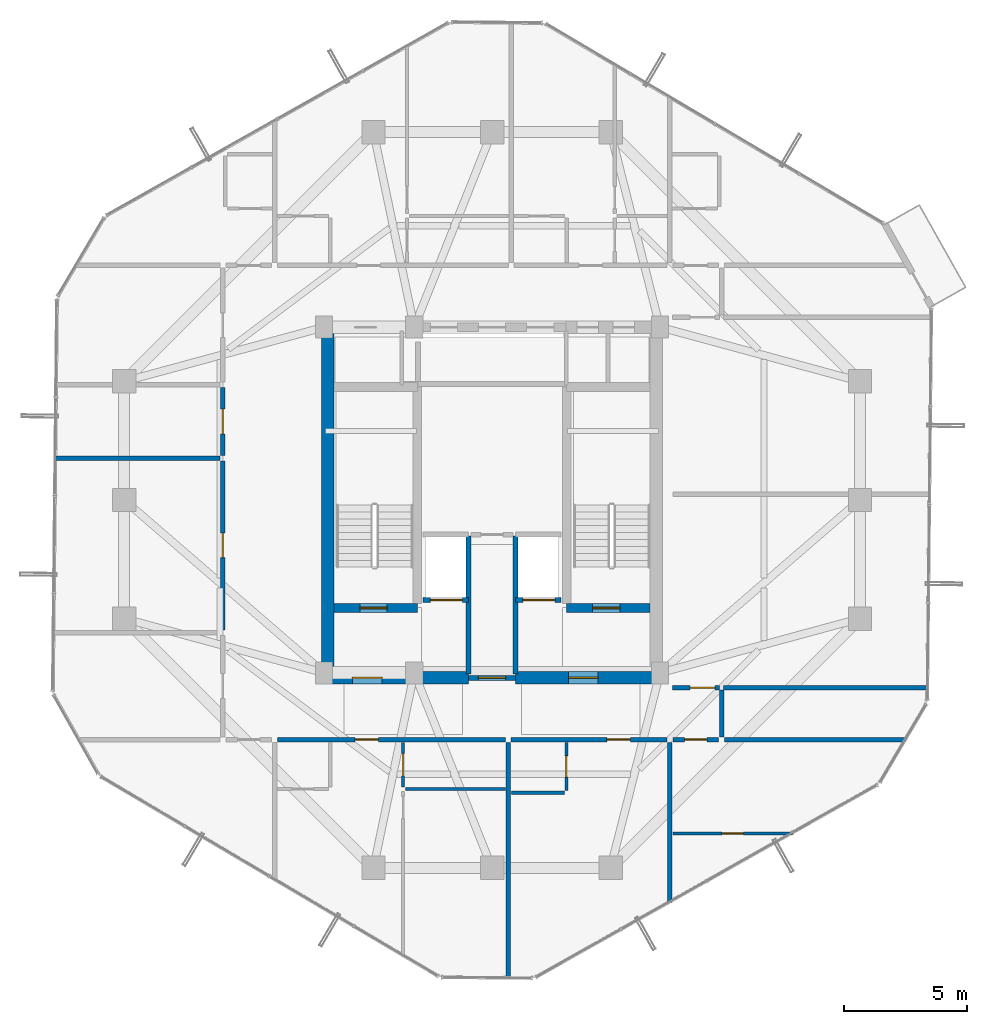
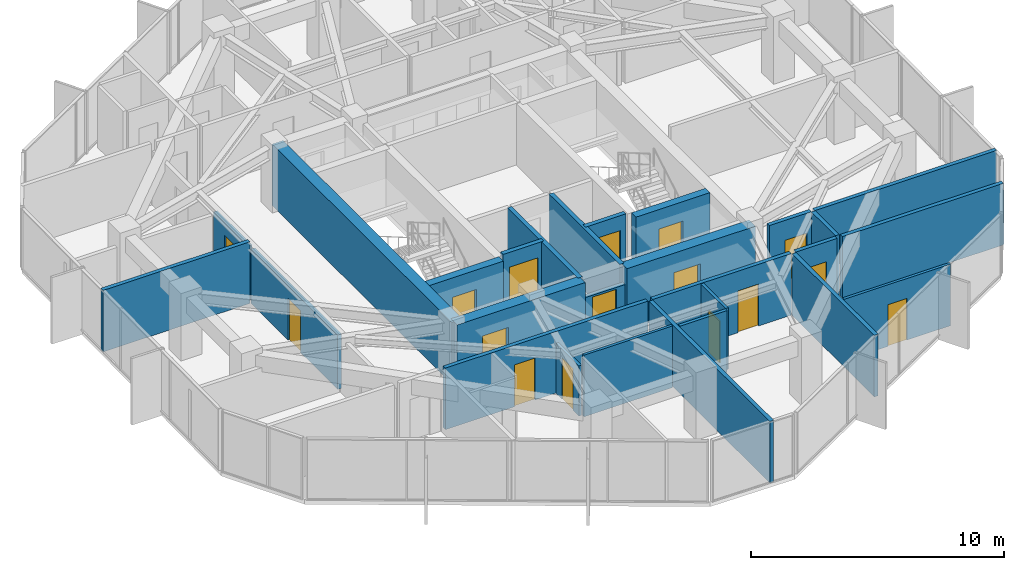
# One storey, part 26 of 30: 27 walls, 16 doors, 16 openings.
"""IFC4 building model written with IfcOpenShell, lengths in metres."""

import ifcopenshell
import ifcopenshell.guid

model = None  # the IFC model being written
_history = None  # IfcOwnerHistory: only IFC2X3 demands one
_inside = {}  # id of a spatial element -> (the spatial element, [elements in it])
_under = {}  # id of a project, library or spatial element -> (it, [spatial elements below it])
_declared = {}  # id of a project -> (the project, [libraries it declares])
_typed = {}  # id of a type object -> (the type object, [elements of that type])
_made_of = {}  # id of a material, layer set ... -> (it, [elements and type objects made of it])


def new_model(schema):
    """Start an empty IFC model of exactly this schema.

    Asked for "IFC4X3", IfcOpenShell would pick the latest addendum, in which some entities
    have other attributes; the version numbers below select the first issue.
    IFC2X3 requires an IfcOwnerHistory on every rooted entity: one is made here for all.
    """
    global model, _history
    if schema == "IFC4X3":
        model = ifcopenshell.file(schema_version=(4, 3, 0, 0))
    else:
        model = ifcopenshell.file(schema=schema)
    _inside.clear()
    _under.clear()
    _declared.clear()
    _typed.clear()
    _made_of.clear()
    _history = None
    if model.schema == "IFC2X3":
        org = make("IfcOrganization", Name="unknown")
        user = make(
            "IfcPersonAndOrganization",
            ThePerson=make("IfcPerson", FamilyName="unknown"),
            TheOrganization=org,
        )
        app = make(
            "IfcApplication",
            ApplicationDeveloper=org,
            Version="unknown",
            ApplicationFullName="unknown",
            ApplicationIdentifier="unknown",
        )
        _history = make(
            "IfcOwnerHistory",
            OwningUser=user,
            OwningApplication=app,
            ChangeAction="ADDED",
            CreationDate=0,
        )
    return model


def make(cls, **values):
    """One entity of the class cls with the attributes given. An attribute that is None is left unset."""
    return model.create_entity(
        cls, **{name: value for name, value in values.items() if value is not None}
    )


def rooted(cls, **values):
    """An entity with a GlobalId (a new one), such as an element, a storey or a relation."""
    return make(cls, GlobalId=ifcopenshell.guid.new(), OwnerHistory=_history, **values)


def si_unit(unit_type, name, prefix=None):
    """IfcSIUnit, for example si_unit("LENGTHUNIT", "METRE", prefix="MILLI")."""
    return make("IfcSIUnit", UnitType=unit_type, Prefix=prefix, Name=name)


def assignment(units):
    """IfcUnitAssignment: the units of a project."""
    return None if units is None else make("IfcUnitAssignment", Units=units)


def point(xyz):
    """IfcCartesianPoint."""
    return None if xyz is None else make("IfcCartesianPoint", Coordinates=xyz)


def direction(xyz):
    """IfcDirection."""
    return None if xyz is None else make("IfcDirection", DirectionRatios=xyz)


def frame(location, z_axis=None, x_axis=None):
    """IfcAxis2Placement3D, a coordinate frame: its origin and axes. An axis left out is left unset."""
    return make(
        "IfcAxis2Placement3D",
        Location=point(location),
        Axis=direction(z_axis),
        RefDirection=direction(x_axis),
    )


def frame_2d(location, x_axis=None):
    """IfcAxis2Placement2D, a coordinate frame in the plane: its origin and x axis."""
    return make(
        "IfcAxis2Placement2D", Location=point(location), RefDirection=direction(x_axis)
    )


def origin():
    """The frame at (0, 0, 0) with its axes left unset."""
    return frame((0.0, 0.0, 0.0))


def place(relative_to, where):
    """IfcLocalPlacement: puts the frame where relative to a parent placement (None: the world)."""
    return make(
        "IfcLocalPlacement", PlacementRelTo=relative_to, RelativePlacement=where
    )


def context(
    kind, dimensions, precision=None, world=None, true_north=None, identifier=None
):
    """IfcGeometricRepresentationContext, for example the 3D "Model" context."""
    return make(
        "IfcGeometricRepresentationContext",
        ContextIdentifier=identifier,
        ContextType=kind,
        CoordinateSpaceDimension=dimensions,
        Precision=precision,
        WorldCoordinateSystem=world,
        TrueNorth=true_north,
    )


def subcontext(parent, identifier, kind, view, scale=None):
    """IfcGeometricRepresentationSubContext, for example "Body" below "Model"."""
    return make(
        "IfcGeometricRepresentationSubContext",
        ContextIdentifier=identifier,
        ContextType=kind,
        ParentContext=parent,
        TargetScale=scale,
        TargetView=view,
    )


def project(units=None, contexts=None):
    """IfcProject with its units and contexts."""
    return rooted(
        "IfcProject",
        Name="project",
        RepresentationContexts=contexts,
        UnitsInContext=assignment(units),
    )


def spatial(cls, under=None, at=None, **own):
    """A site, building, storey or space (cls), placed at a placement, below another one or the project."""
    s = rooted(cls, ObjectPlacement=at, **own)
    if under is not None:
        _under.setdefault(under.id(), (under, []))[1].append(s)
    return s


def profile(cls, at=None, kind="AREA", **sizes):
    """A parametric profile (cls). Its sizes go by their IFC names, for example OverallWidth=200.0."""
    return make(cls, ProfileType=kind, Position=at, **sizes)


def rectangle(**sizes):
    """IfcRectangleProfileDef."""
    return profile("IfcRectangleProfileDef", **sizes)


def extrude(swept, where, along, depth):
    """IfcExtrudedAreaSolid: the profile swept, set in the frame where, extruded along a direction by depth."""
    return make(
        "IfcExtrudedAreaSolid",
        SweptArea=swept,
        Position=where,
        ExtrudedDirection=direction(along),
        Depth=depth,
    )


def shape(context_of_items, identifier, shape_type, items):
    """IfcShapeRepresentation: the items that make up one representation, for example the "Body"."""
    return make(
        "IfcShapeRepresentation",
        ContextOfItems=context_of_items,
        RepresentationIdentifier=identifier,
        RepresentationType=shape_type,
        Items=items,
    )


def source(mapping_origin, context_of_items, identifier, shape_type, items):
    """IfcRepresentationMap: a shape defined once, which mapped items show again and again."""
    return make(
        "IfcRepresentationMap",
        MappingOrigin=mapping_origin,
        MappedRepresentation=shape(context_of_items, identifier, shape_type, items),
    )


def transform(
    local_origin,
    x_axis=None,
    y_axis=None,
    z_axis=None,
    scale=None,
    scale2=None,
    scale3=None,
    uniform=True,
):
    """IfcCartesianTransformationOperator3D, or its non-uniform kind. x_axis, y_axis, z_axis: its Axis1, 2, 3."""
    if uniform:
        return make(
            "IfcCartesianTransformationOperator3D",
            Axis1=direction(x_axis),
            Axis2=direction(y_axis),
            LocalOrigin=point(local_origin),
            Scale=scale,
            Axis3=direction(z_axis),
        )
    return make(
        "IfcCartesianTransformationOperator3DnonUniform",
        Axis1=direction(x_axis),
        Axis2=direction(y_axis),
        LocalOrigin=point(local_origin),
        Scale=scale,
        Axis3=direction(z_axis),
        Scale2=scale2,
        Scale3=scale3,
    )


def mapped(mapping_source, mapping_target):
    """IfcMappedItem: shows the shape of a source again, moved by a transform."""
    return make(
        "IfcMappedItem", MappingSource=mapping_source, MappingTarget=mapping_target
    )


def material(Name=None, Category=None):
    """IfcMaterial."""
    return make("IfcMaterial", Name=Name, Category=Category)


def layer(
    of_material, thickness, ventilated=None, Name=None, Category=None, Priority=None
):
    """IfcMaterialLayer: one layer of a wall or slab, of a material (None: an air gap)."""
    return make(
        "IfcMaterialLayer",
        Material=of_material,
        LayerThickness=thickness,
        IsVentilated=ventilated,
        Name=Name,
        Category=Category,
        Priority=Priority,
    )


def layer_set(layers, Name=None):
    """IfcMaterialLayerSet."""
    return make("IfcMaterialLayerSet", MaterialLayers=layers, LayerSetName=Name)


def made_of(thing, what):
    """Note that an element or type object is made of a material, layer set ...; save() writes the relation."""
    if what is not None:
        _made_of.setdefault(what.id(), (what, []))[1].append(thing)
    return thing


def type_object(cls, material=None, **own):
    """A type object (cls), such as IfcWallType, which elements share."""
    return made_of(rooted(cls, **own), material)


def element(
    cls,
    number,
    at=None,
    inside=None,
    cuts=None,
    type_object=None,
    material=None,
    context=None,
    identifier="Body",
    shape_type=None,
    held_by="IfcProductDefinitionShape",
    body=None,
    shapes=None,
    **own,
):
    """One element of the class cls, such as IfcWall. Its Tag is "e" and its number.

    at: its placement. inside: the storey or other place that contains it. cuts: it is an
    opening in that element (IfcRelVoidsElement). A single representation is given by context,
    identifier, shape_type and body (its items); several are given by shapes. held_by: the class
    of the entity that holds the representations. save() writes the other relations.
    """
    e = rooted(cls, Tag="e%d" % number, ObjectPlacement=at, **own)
    if body is not None:
        shapes = [shape(context, identifier, shape_type, body)]
    if shapes is not None:
        e.Representation = make(held_by, Representations=shapes)
    if inside is not None:
        _inside.setdefault(inside.id(), (inside, []))[1].append(e)
    if cuts is not None:
        rooted(
            "IfcRelVoidsElement", RelatingBuildingElement=cuts, RelatedOpeningElement=e
        )
    if type_object is not None:
        _typed.setdefault(type_object.id(), (type_object, []))[1].append(e)
    return made_of(e, material)


def fill(opening, filler):
    """IfcRelFillsElement: the door or window that sits in an opening."""
    return rooted(
        "IfcRelFillsElement",
        RelatingOpeningElement=opening,
        RelatedBuildingElement=filler,
    )


def aggregate(whole, parts):
    """IfcRelAggregates: a whole, such as a stair, and the parts it consists of."""
    return rooted("IfcRelAggregates", RelatingObject=whole, RelatedObjects=parts)


def save(model, path):
    """Write the relations noted so far, then the file.

    IfcRelAggregates (storeys below a building ...), IfcRelContainedInSpatialStructure (elements
    in a storey), IfcRelDefinesByType, IfcRelAssociatesMaterial and IfcRelDeclares: one each for
    every whole, place, type object, material and project.
    """
    for whole, parts in _under.values():
        aggregate(whole, parts)
    for where, things in _inside.values():
        rooted(
            "IfcRelContainedInSpatialStructure",
            RelatedElements=things,
            RelatingStructure=where,
        )
    for kind, things in _typed.values():
        rooted("IfcRelDefinesByType", RelatedObjects=things, RelatingType=kind)
    for what, things in _made_of.values():
        rooted("IfcRelAssociatesMaterial", RelatedObjects=things, RelatingMaterial=what)
    for by, libraries in _declared.values():
        rooted("IfcRelDeclares", RelatingContext=by, RelatedDefinitions=libraries)
    model.write(path)


model = new_model("IFC4")

# Units and contexts
model_context = context("Model", 3, precision=1e-05, world=origin(), true_north=direction((0.0, 1.0)))
body_context = subcontext(model_context, "Body", "Model", "MODEL_VIEW")
ifc_project = project(units=[si_unit("LENGTHUNIT", "METRE"), si_unit("AREAUNIT", "SQUARE_METRE"), si_unit("VOLUMEUNIT", "CUBIC_METRE"), si_unit("PLANEANGLEUNIT", "RADIAN"), si_unit("MASSUNIT", "GRAM", prefix="KILO")], contexts=[model_context])

# Site, building, storey
site_placement = place(None, origin())
site = spatial("IfcSite", under=ifc_project, at=site_placement, CompositionType="ELEMENT")
building_placement = place(site_placement, origin())
building = spatial("IfcBuilding", under=site, at=building_placement, Name="Veraguas Prism Commons", CompositionType="ELEMENT")
storey_placement = place(building_placement, frame((0.0, 0.0, 208.10009765625)))
storey = spatial("IfcBuildingStorey", under=building, at=storey_placement, Name="L59", CompositionType="ELEMENT", Elevation=208.10009765625)

# Wall, opening, door
ifc_material_1 = material(Name="Concrete C50/60", Category="concrete")
ifc_layer_1 = layer(ifc_material_1, 0.35009765625, Name="Core Internal Shear Wall Upper RC 350", Category="concrete")
ifc_layer_set_1 = layer_set([ifc_layer_1], Name="Concrete C50/60")
wall_type_1 = type_object("IfcWallType", Name="Core Internal Shear Wall Upper RC 350", PredefinedType="SHEAR", material=ifc_layer_set_1)
wall_1_placement = place(storey_placement, frame((17.60009765625, 19.625, 0.0), z_axis=(0.0, 0.0, 1.0), x_axis=(1.0, 0.0, 0.0)))
wall_1 = element("IfcWall", 1, at=wall_1_placement, inside=storey, type_object=wall_type_1, Name="Stair ST-01 South Shear Wall L59", PredefinedType="SHEAR", context=body_context, shape_type="SweptSolid", body=[
    extrude(rectangle(XDim=3.375, YDim=0.35009765625, at=frame_2d((1.6875, 0.0))), origin(), (0.0, 0.0, 1.0), 2.969970703125),
])
opening_1_placement = place(wall_1_placement, frame((1.050048828125, 0.0, 0.0)))
opening_1 = element("IfcOpeningElement", 2, at=opening_1_placement, cuts=wall_1, Name="Opening DR-05", PredefinedType="OPENING", context=body_context, shape_type="SweptSolid", body=[
    extrude(rectangle(XDim=1.10009765625, YDim=2.030029296875, at=frame_2d((0.550048828125, 1.01513671875))), frame((0.0, 0.18505859375, 0.0), z_axis=(0.0, -1.0, 0.0), x_axis=(1.0, 0.0, 0.0)), (0.0, 0.0, 1.0), 0.3701171875),
])
ifc_material_2 = material(Name="Steel fire-rated door assembly", Category="steel")
door_type_1 = type_object("IfcDoorType", Name="Protected Stair and Refuge Fire Door 1100x2030", OperationType="NOTDEFINED", PredefinedType="DOOR", material=ifc_material_2)
shared_shape_1 = source(origin(), body_context, "Body", "SweptSolid", [
    extrude(rectangle(XDim=1.10009765625, YDim=2.030029296875, at=frame_2d((0.550048828125, 1.01513671875))), frame((0.0, 0.02490234375, 0.0), z_axis=(0.0, -1.0, 0.0), x_axis=(1.0, 0.0, 0.0)), (0.0, 0.0, 1.0), 0.050048828125),
])
door_1_placement = place(opening_1_placement, origin())
door_1 = element("IfcDoor", 3, at=door_1_placement, inside=storey, type_object=door_type_1, Name="Stair ST-01 Enclosure Door L59", OperationType="SINGLE_SWING_LEFT", OverallHeight=2.030029296875, OverallWidth=1.10009765625, PredefinedType="DOOR", context=body_context, shape_type="MappedRepresentation", body=[
    mapped(shared_shape_1, transform((0.0, 0.0, 0.0), scale=1.0)),
])
fill(opening_1, door_1)

wall_2_placement = place(storey_placement, frame((27.02490234375, 19.625, 0.0), z_axis=(0.0, 0.0, 1.0), x_axis=(1.0, 0.0, 0.0)))
wall_2 = element("IfcWall", 4, at=wall_2_placement, inside=storey, type_object=wall_type_1, Name="Stair ST-02 South Shear Wall L59", PredefinedType="SHEAR", context=body_context, shape_type="SweptSolid", body=[
    extrude(rectangle(XDim=3.375, YDim=0.35009765625, at=frame_2d((1.6875, 0.0))), origin(), (0.0, 0.0, 1.0), 2.969970703125),
])
opening_2_placement = place(wall_2_placement, frame((1.050048828125, 0.0, 0.0)))
opening_2 = element("IfcOpeningElement", 5, at=opening_2_placement, cuts=wall_2, Name="Opening DR-05", PredefinedType="OPENING", context=body_context, shape_type="SweptSolid", body=[
    extrude(rectangle(XDim=1.10009765625, YDim=2.030029296875, at=frame_2d((0.550048828125, 1.01513671875))), frame((0.0, 0.18505859375, 0.0), z_axis=(0.0, -1.0, 0.0), x_axis=(1.0, 0.0, 0.0)), (0.0, 0.0, 1.0), 0.3701171875),
])
door_2_placement = place(opening_2_placement, origin())
door_2 = element("IfcDoor", 6, at=door_2_placement, inside=storey, type_object=door_type_1, Name="Stair ST-02 Enclosure Door L59", OperationType="SINGLE_SWING_RIGHT", OverallHeight=2.030029296875, OverallWidth=1.10009765625, PredefinedType="DOOR", context=body_context, shape_type="MappedRepresentation", body=[
    mapped(shared_shape_1, transform((0.0, 0.0, 0.0), scale=1.0)),
])
fill(opening_2, door_2)

# Wall
ifc_layer_2 = layer(ifc_material_1, 0.5, Name="Core Outer Shear Wall Upper RC 500", Category="concrete")
ifc_layer_set_2 = layer_set([ifc_layer_2], Name="Concrete C50/60")
wall_type_2 = type_object("IfcWallType", Name="Core Outer Shear Wall Upper RC 500", PredefinedType="SHEAR", material=ifc_layer_set_2)
wall_3_placement = place(storey_placement, frame((17.35009765625, 16.800048828125, 0.0), z_axis=(0.0, 0.0, 1.0), x_axis=(0.0, 1.0, 0.0)))
element("IfcWall", 7, at=wall_3_placement, inside=storey, type_object=wall_type_2, Name="Central Core West Shear Wall L59", PredefinedType="SHEAR", context=body_context, shape_type="SweptSolid", body=[
    extrude(rectangle(XDim=14.199951171875, YDim=0.5, at=frame_2d((7.10009765625, 0.0))), origin(), (0.0, 0.0, 1.0), 2.969970703125),
])

# Wall, opening, door
wall_4_placement = place(storey_placement, frame((17.199951171875, 16.800048828125, 0.0), z_axis=(0.0, 0.0, 1.0), x_axis=(1.0, 0.0, 0.0)))
wall_4 = element("IfcWall", 8, at=wall_4_placement, inside=storey, type_object=wall_type_2, Name="Central Core South-West Shear Wall L59", PredefinedType="SHEAR", context=body_context, shape_type="SweptSolid", body=[
    extrude(rectangle(XDim=5.85009765625, YDim=0.5, at=frame_2d((2.925048828125, 0.0))), origin(), (0.0, 0.0, 1.0), 2.969970703125),
])
opening_3_placement = place(wall_4_placement, frame((1.14990234375, 0.0, 0.0)))
opening_3 = element("IfcOpeningElement", 9, at=opening_3_placement, cuts=wall_4, Name="Opening DR-06", PredefinedType="OPENING", context=body_context, shape_type="SweptSolid", body=[
    extrude(rectangle(XDim=1.199951171875, YDim=2.030029296875, at=frame_2d((0.60009765625, 1.01513671875))), frame((0.0, 0.260009765625, 0.0), z_axis=(0.0, -1.0, 0.0), x_axis=(1.0, 0.0, 0.0)), (0.0, 0.0, 1.0), 0.52001953125),
])
door_type_2 = type_object("IfcDoorType", Name="Firefighting Lobby Smoke Door 1200x2030", OperationType="NOTDEFINED", PredefinedType="DOOR", material=ifc_material_2)
shared_shape_2 = source(origin(), body_context, "Body", "SweptSolid", [
    extrude(rectangle(XDim=1.199951171875, YDim=2.030029296875, at=frame_2d((0.60009765625, 1.01513671875))), frame((0.0, 0.02490234375, 0.0), z_axis=(0.0, -1.0, 0.0), x_axis=(1.0, 0.0, 0.0)), (0.0, 0.0, 1.0), 0.050048828125),
])
door_3_placement = place(opening_3_placement, origin())
door_3 = element("IfcDoor", 10, at=door_3_placement, inside=storey, type_object=door_type_2, Name="West FF Lobby Door L59", OperationType="SINGLE_SWING_LEFT", OverallHeight=2.030029296875, OverallWidth=1.199951171875, PredefinedType="DOOR", context=body_context, shape_type="MappedRepresentation", body=[
    mapped(shared_shape_2, transform((0.0, 0.0, 0.0), scale=1.0)),
])
fill(opening_3, door_3)

wall_5_placement = place(storey_placement, frame((24.949951171875, 16.800048828125, 0.0), z_axis=(0.0, 0.0, 1.0), x_axis=(1.0, 0.0, 0.0)))
wall_5 = element("IfcWall", 11, at=wall_5_placement, inside=storey, type_object=wall_type_2, Name="Central Core South-East Shear Wall L59", PredefinedType="SHEAR", context=body_context, shape_type="SweptSolid", body=[
    extrude(rectangle(XDim=5.85009765625, YDim=0.5, at=frame_2d((2.925048828125, 0.0))), origin(), (0.0, 0.0, 1.0), 2.969970703125),
])
opening_4_placement = place(wall_5_placement, frame((2.14990234375, 0.0, 0.0)))
opening_4 = element("IfcOpeningElement", 12, at=opening_4_placement, cuts=wall_5, Name="Opening DR-06", PredefinedType="OPENING", context=body_context, shape_type="SweptSolid", body=[
    extrude(rectangle(XDim=1.199951171875, YDim=2.030029296875, at=frame_2d((0.60009765625, 1.01513671875))), frame((0.0, 0.260009765625, 0.0), z_axis=(0.0, -1.0, 0.0), x_axis=(1.0, 0.0, 0.0)), (0.0, 0.0, 1.0), 0.52001953125),
])
door_4_placement = place(opening_4_placement, origin())
door_4 = element("IfcDoor", 13, at=door_4_placement, inside=storey, type_object=door_type_2, Name="East FF Lobby Door L59", OperationType="SINGLE_SWING_LEFT", OverallHeight=2.030029296875, OverallWidth=1.199951171875, PredefinedType="DOOR", context=body_context, shape_type="MappedRepresentation", body=[
    mapped(shared_shape_2, transform((0.0, 0.0, 0.0), scale=1.0)),
])
fill(opening_4, door_4)

# Wall
ifc_material_3 = material(Name="Autoclaved aerated masonry block 10 MPa", Category="masonry")
ifc_layer_3 = layer(ifc_material_3, 0.179931640625, Name="Corridor and Inter-Tenancy Partition 180", Category="masonry")
ifc_layer_set_3 = layer_set([ifc_layer_3], Name="Autoclaved aerated masonry block 10 MPa")
wall_type_3 = type_object("IfcWallType", Name="Corridor and Inter-Tenancy Partition 180", PredefinedType="PARTITIONING", material=ifc_layer_set_3)
wall_6_placement = place(storey_placement, frame((31.199951171875, 14.179931640625, 0.0), z_axis=(0.0, 0.0, 1.0), x_axis=(0.0, -1.0, 0.0)))
element("IfcWall", 14, at=wall_6_placement, inside=storey, type_object=wall_type_3, Name="WL-L59-PT002", PredefinedType="PARTITIONING", context=body_context, shape_type="SweptSolid", body=[
    extrude(rectangle(XDim=6.485595703125, YDim=0.179931640625, at=frame_2d((3.24267578125, 0.0))), origin(), (0.0, 0.0, 1.0), 2.969970703125),
])

# Wall, opening, door
wall_7_placement = place(storey_placement, frame((15.31005859375, 14.300048828125, 0.0), z_axis=(0.0, 0.0, 1.0), x_axis=(1.0, 0.0, 0.0)))
wall_7 = element("IfcWall", 15, at=wall_7_placement, inside=storey, type_object=wall_type_3, Name="WL-L59-PT003", PredefinedType="PARTITIONING", context=body_context, shape_type="SweptSolid", body=[
    extrude(rectangle(XDim=9.239990234375, YDim=0.179931640625, at=frame_2d((4.6201171875, 0.0))), origin(), (0.0, 0.0, 1.0), 2.969970703125),
])
opening_5_placement = place(wall_7_placement, frame((3.1416015625, 0.0, 0.0)))
opening_5 = element("IfcOpeningElement", 16, at=opening_5_placement, cuts=wall_7, Name="Opening DR-01", PredefinedType="OPENING", context=body_context, shape_type="SweptSolid", body=[
    extrude(rectangle(XDim=0.949951171875, YDim=2.02001953125, at=frame_2d((0.47509765625, 1.010009765625))), frame((0.0, 0.099853515625, 0.0), z_axis=(0.0, -1.0, 0.0), x_axis=(1.0, 0.0, 0.0)), (0.0, 0.0, 1.0), 0.199951171875),
])
ifc_material_4 = material(Name="Anodised aluminium EN AW-6063 T6", Category="aluminium")
door_type_3 = type_object("IfcDoorType", Name="Apartment Entrance Fire Door 950x2020", OperationType="NOTDEFINED", PredefinedType="DOOR", material=ifc_material_4)
shared_shape_3 = source(origin(), body_context, "Body", "SweptSolid", [
    extrude(rectangle(XDim=0.949951171875, YDim=2.02001953125, at=frame_2d((0.47509765625, 1.010009765625))), frame((0.0, 0.02490234375, 0.0), z_axis=(0.0, -1.0, 0.0), x_axis=(1.0, 0.0, 0.0)), (0.0, 0.0, 1.0), 0.050048828125),
])
door_5_placement = place(opening_5_placement, origin())
door_5 = element("IfcDoor", 17, at=door_5_placement, inside=storey, type_object=door_type_3, Name="Flat 59A Entrance Door", OperationType="SINGLE_SWING_RIGHT", OverallHeight=2.02001953125, OverallWidth=0.949951171875, PredefinedType="DOOR", context=body_context, shape_type="MappedRepresentation", body=[
    mapped(shared_shape_3, transform((0.0, 0.0, 0.0), scale=1.0)),
])
fill(opening_5, door_5)

# Wall
wall_8_placement = place(storey_placement, frame((24.659912109375, 14.179931640625, 0.0), z_axis=(0.0, 0.0, 1.0), x_axis=(0.0, -1.0, 0.0)))
element("IfcWall", 18, at=wall_8_placement, inside=storey, type_object=wall_type_3, Name="WL-L59-PT009", PredefinedType="PARTITIONING", context=body_context, shape_type="SweptSolid", body=[
    extrude(rectangle(XDim=9.56103515625, YDim=0.179931640625, at=frame_2d((4.780517578125, 0.0))), origin(), (0.0, 0.0, 1.0), 2.969970703125),
])

# Wall, opening, door
wall_9_placement = place(storey_placement, frame((24.77001953125, 14.300048828125, 0.0), z_axis=(0.0, 0.0, 1.0), x_axis=(1.0, 0.0, 0.0)))
wall_9 = element("IfcWall", 19, at=wall_9_placement, inside=storey, type_object=wall_type_3, Name="WL-L59-PT010", PredefinedType="PARTITIONING", context=body_context, shape_type="SweptSolid", body=[
    extrude(rectangle(XDim=6.320068359375, YDim=0.179931640625, at=frame_2d((3.16015625, 0.0))), origin(), (0.0, 0.0, 1.0), 2.969970703125),
])
opening_6_placement = place(wall_9_placement, frame((3.877685546875, 0.0, 0.0)))
opening_6 = element("IfcOpeningElement", 20, at=opening_6_placement, cuts=wall_9, Name="Opening DR-01", PredefinedType="OPENING", context=body_context, shape_type="SweptSolid", body=[
    extrude(rectangle(XDim=0.949951171875, YDim=2.02001953125, at=frame_2d((0.47509765625, 1.010009765625))), frame((0.0, 0.099853515625, 0.0), z_axis=(0.0, -1.0, 0.0), x_axis=(1.0, 0.0, 0.0)), (0.0, 0.0, 1.0), 0.199951171875),
])
door_6_placement = place(opening_6_placement, origin())
door_6 = element("IfcDoor", 21, at=door_6_placement, inside=storey, type_object=door_type_3, Name="Studio 59B Entrance Door", OperationType="SINGLE_SWING_RIGHT", OverallHeight=2.02001953125, OverallWidth=0.949951171875, PredefinedType="DOOR", context=body_context, shape_type="MappedRepresentation", body=[
    mapped(shared_shape_3, transform((0.0, 0.0, 0.0), scale=1.0)),
])
fill(opening_6, door_6)

wall_10_placement = place(storey_placement, frame((13.10009765625, 18.739990234375, 0.0), z_axis=(0.0, 0.0, 1.0), x_axis=(0.0, 1.0, 0.0)))
wall_10 = element("IfcWall", 22, at=wall_10_placement, inside=storey, type_object=wall_type_3, Name="WL-L59-PT031", PredefinedType="PARTITIONING", context=body_context, shape_type="SweptSolid", body=[
    extrude(rectangle(XDim=6.843994140625, YDim=0.179931640625, at=frame_2d((3.421875, 0.0))), origin(), (0.0, 0.0, 1.0), 2.616943359375),
])
opening_7_placement = place(wall_10_placement, frame((2.922119140625, 0.0, 0.0)))
opening_7 = element("IfcOpeningElement", 23, at=opening_7_placement, cuts=wall_10, Name="Opening DR-13", PredefinedType="OPENING", context=body_context, shape_type="SweptSolid", body=[
    extrude(rectangle(XDim=1.0, YDim=2.010009765625, at=frame_2d((0.5, 1.0048828125))), frame((0.0, 0.099853515625, 0.0), z_axis=(0.0, -1.0, 0.0), x_axis=(1.0, 0.0, 0.0)), (0.0, 0.0, 1.0), 0.199951171875),
])
door_type_4 = type_object("IfcDoorType", Name="Core Accessible WC and Clinic Fire Door 1000x2010", OperationType="NOTDEFINED", PredefinedType="DOOR", material=ifc_material_2)
shared_shape_4 = source(origin(), body_context, "Body", "SweptSolid", [
    extrude(rectangle(XDim=1.0, YDim=2.010009765625, at=frame_2d((0.5, 1.0048828125))), frame((0.0, 0.02490234375, 0.0), z_axis=(0.0, -1.0, 0.0), x_axis=(1.0, 0.0, 0.0)), (0.0, 0.0, 1.0), 0.050048828125),
])
door_7_placement = place(opening_7_placement, origin())
door_7 = element("IfcDoor", 24, at=door_7_placement, inside=storey, type_object=door_type_4, Name="Co-op Store W Door", OperationType="SINGLE_SWING_LEFT", OverallHeight=2.010009765625, OverallWidth=1.0, PredefinedType="DOOR", context=body_context, shape_type="MappedRepresentation", body=[
    mapped(shared_shape_4, transform((0.0, 0.0, 0.0), scale=1.0)),
])
fill(opening_7, door_7)

# Wall
wall_11_placement = place(storey_placement, frame((12.97998046875, 25.694091796875, 0.0), z_axis=(0.0, 0.0, 1.0), x_axis=(-1.0, 0.0, 0.0)))
element("IfcWall", 25, at=wall_11_placement, inside=storey, type_object=wall_type_3, Name="WL-L59-PT033", PredefinedType="PARTITIONING", context=body_context, shape_type="SweptSolid", body=[
    extrude(rectangle(XDim=6.703369140625, YDim=0.179931640625, at=frame_2d((3.3515625, 0.0))), origin(), (0.0, 0.0, 1.0), 2.969970703125),
])

# Wall, opening, door
wall_12_placement = place(storey_placement, frame((13.10009765625, 25.803955078125, 0.0), z_axis=(0.0, 0.0, 1.0), x_axis=(0.0, 1.0, 0.0)))
wall_12 = element("IfcWall", 26, at=wall_12_placement, inside=storey, type_object=wall_type_3, Name="WL-L59-PT034", PredefinedType="PARTITIONING", context=body_context, shape_type="SweptSolid", body=[
    extrude(rectangle(XDim=2.74609375, YDim=0.179931640625, at=frame_2d((1.373046875, 0.0))), origin(), (0.0, 0.0, 1.0), 2.616943359375),
])
opening_8_placement = place(wall_12_placement, frame((0.873046875, 0.0, 0.0)))
opening_8 = element("IfcOpeningElement", 27, at=opening_8_placement, cuts=wall_12, Name="Opening DR-13", PredefinedType="OPENING", context=body_context, shape_type="SweptSolid", body=[
    extrude(rectangle(XDim=1.0, YDim=2.010009765625, at=frame_2d((0.5, 1.0048828125))), frame((0.0, 0.099853515625, 0.0), z_axis=(0.0, -1.0, 0.0), x_axis=(1.0, 0.0, 0.0)), (0.0, 0.0, 1.0), 0.199951171875),
])
door_8_placement = place(opening_8_placement, origin())
door_8 = element("IfcDoor", 28, at=door_8_placement, inside=storey, type_object=door_type_4, Name="Shared Laundry Room Door", OperationType="SINGLE_SWING_RIGHT", OverallHeight=2.010009765625, OverallWidth=1.0, PredefinedType="DOOR", context=body_context, shape_type="MappedRepresentation", body=[
    mapped(shared_shape_4, transform((0.0, 0.0, 0.0), scale=1.0)),
])
fill(opening_8, door_8)

# Wall
wall_13_placement = place(storey_placement, frame((33.300048828125, 14.39990234375, 0.0), z_axis=(0.0, 0.0, 1.0), x_axis=(0.0, 1.0, 0.0)))
element("IfcWall", 29, at=wall_13_placement, inside=storey, type_object=wall_type_3, Name="WL-L59-PT038", PredefinedType="PARTITIONING", context=body_context, shape_type="SweptSolid", body=[
    extrude(rectangle(XDim=1.900146484375, YDim=0.179931640625, at=frame_2d((0.9501953125, 0.0))), origin(), (0.0, 0.0, 1.0), 2.969970703125),
])

# Wall, opening, door
wall_14_placement = place(storey_placement, frame((31.300048828125, 16.39990234375, 0.0), z_axis=(0.0, 0.0, 1.0), x_axis=(1.0, 0.0, 0.0)))
wall_14 = element("IfcWall", 30, at=wall_14_placement, inside=storey, type_object=wall_type_3, Name="WL-L59-PT040", PredefinedType="PARTITIONING", context=body_context, shape_type="SweptSolid", body=[
    extrude(rectangle(XDim=1.919921875, YDim=0.179931640625, at=frame_2d((0.9599609375, 0.0))), origin(), (0.0, 0.0, 1.0), 2.969970703125),
])
opening_9_placement = place(wall_14_placement, frame((0.719970703125, 0.0, 0.0)))
opening_9 = element("IfcOpeningElement", 31, at=opening_9_placement, cuts=wall_14, Name="Opening DR-13", PredefinedType="OPENING", context=body_context, shape_type="SweptSolid", body=[
    extrude(rectangle(XDim=1.0, YDim=2.010009765625, at=frame_2d((0.5, 1.0048828125))), frame((0.0, 0.099853515625, 0.0), z_axis=(0.0, -1.0, 0.0), x_axis=(1.0, 0.0, 0.0)), (0.0, 0.0, 1.0), 0.199951171875),
])
door_9_placement = place(opening_9_placement, origin())
door_9 = element("IfcDoor", 32, at=door_9_placement, inside=storey, type_object=door_type_4, Name="Panorama Lounge Door L59", OperationType="SINGLE_SWING_RIGHT", OverallHeight=2.010009765625, OverallWidth=1.0, PredefinedType="DOOR", context=body_context, shape_type="MappedRepresentation", body=[
    mapped(shared_shape_4, transform((0.0, 0.0, 0.0), scale=1.0)),
])
fill(opening_9, door_9)

# Walls
wall_15_placement = place(storey_placement, frame((33.3798828125, 16.39990234375, 0.0), z_axis=(0.0, 0.0, 1.0), x_axis=(1.0, 0.0, 0.0)))
element("IfcWall", 33, at=wall_15_placement, inside=storey, type_object=wall_type_3, Name="WL-L59-PT041", PredefinedType="PARTITIONING", context=body_context, shape_type="SweptSolid", body=[
    extrude(rectangle(XDim=8.28173828125, YDim=0.179931640625, at=frame_2d((4.140869140625, 0.0))), origin(), (0.0, 0.0, 1.0), 2.969970703125),
])
wall_16_placement = place(storey_placement, frame((33.419921875, 14.300048828125, 0.0), z_axis=(0.0, 0.0, 1.0), x_axis=(1.0, 0.0, 0.0)))
element("IfcWall", 34, at=wall_16_placement, inside=storey, type_object=wall_type_3, Name="WL-L59-PT045", PredefinedType="PARTITIONING", context=body_context, shape_type="SweptSolid", body=[
    extrude(rectangle(XDim=7.35107421875, YDim=0.179931640625, at=frame_2d((3.675537109375, 0.0))), origin(), (0.0, 0.0, 1.0), 2.969970703125),
])

# Wall, opening, door
wall_17_placement = place(storey_placement, frame((31.320068359375, 14.300048828125, 0.0), z_axis=(0.0, 0.0, 1.0), x_axis=(1.0, 0.0, 0.0)))
wall_17 = element("IfcWall", 35, at=wall_17_placement, inside=storey, type_object=wall_type_3, Name="WL-L59-PT046", PredefinedType="PARTITIONING", context=body_context, shape_type="SweptSolid", body=[
    extrude(rectangle(XDim=1.85986328125, YDim=0.179931640625, at=frame_2d((0.929931640625, 0.0))), origin(), (0.0, 0.0, 1.0), 2.969970703125),
])
opening_10_placement = place(wall_17_placement, frame((0.47998046875, 0.0, 0.0)))
opening_10 = element("IfcOpeningElement", 36, at=opening_10_placement, cuts=wall_17, Name="Opening DR-14", PredefinedType="OPENING", context=body_context, shape_type="SweptSolid", body=[
    extrude(rectangle(XDim=0.89990234375, YDim=2.010009765625, at=frame_2d((0.449951171875, 1.0048828125))), frame((0.0, 0.099853515625, 0.0), z_axis=(0.0, -1.0, 0.0), x_axis=(1.0, 0.0, 0.0)), (0.0, 0.0, 1.0), 0.199951171875),
])
door_type_5 = type_object("IfcDoorType", Name="Core Service Room Fire Door 900x2010", OperationType="NOTDEFINED", PredefinedType="DOOR", material=ifc_material_2)
shared_shape_5 = source(origin(), body_context, "Body", "SweptSolid", [
    extrude(rectangle(XDim=0.89990234375, YDim=2.010009765625, at=frame_2d((0.449951171875, 1.0048828125))), frame((0.0, 0.02490234375, 0.0), z_axis=(0.0, -1.0, 0.0), x_axis=(1.0, 0.0, 0.0)), (0.0, 0.0, 1.0), 0.050048828125),
])
door_10_placement = place(opening_10_placement, origin())
door_10 = element("IfcDoor", 37, at=door_10_placement, inside=storey, type_object=door_type_5, Name="Community Co-op Kitchen Door", OperationType="SINGLE_SWING_LEFT", OverallHeight=2.010009765625, OverallWidth=0.89990234375, PredefinedType="DOOR", context=body_context, shape_type="MappedRepresentation", body=[
    mapped(shared_shape_5, transform((0.0, 0.0, 0.0), scale=1.0)),
])
fill(opening_10, door_10)

ifc_material_5 = material(Name="Lightweight acoustic gypsum board")
ifc_layer_4 = layer(ifc_material_5, 0.125, Name="Internal Apartment Room Partition 125")
ifc_layer_set_4 = layer_set([ifc_layer_4], Name="Lightweight acoustic gypsum board")
wall_type_4 = type_object("IfcWallType", Name="Internal Apartment Room Partition 125", PredefinedType="PARTITIONING", material=ifc_layer_set_4)
wall_18_placement = place(storey_placement, frame((20.403076171875, 14.179931640625, 0.0), z_axis=(0.0, 0.0, 1.0), x_axis=(0.0, -1.0, 0.0)))
wall_18 = element("IfcWall", 38, at=wall_18_placement, inside=storey, type_object=wall_type_4, Name="WL-L59-PT006", PredefinedType="PARTITIONING", context=body_context, shape_type="SweptSolid", body=[
    extrude(rectangle(XDim=1.800048828125, YDim=0.125, at=frame_2d((0.89990234375, 0.0))), origin(), (0.0, 0.0, 1.0), 2.423828125),
])
opening_11_placement = place(wall_18_placement, frame((0.449951171875, 0.0, 0.0)))
opening_11 = element("IfcOpeningElement", 39, at=opening_11_placement, cuts=wall_18, Name="Opening DR-02", PredefinedType="OPENING", context=body_context, shape_type="SweptSolid", body=[
    extrude(rectangle(XDim=0.89990234375, YDim=2.010009765625, at=frame_2d((0.449951171875, 1.0048828125))), frame((0.0, 0.072509765625, 0.0), z_axis=(0.0, -1.0, 0.0), x_axis=(1.0, 0.0, 0.0)), (0.0, 0.0, 1.0), 0.14501953125),
])
ifc_material_6 = material(Name="Timber solid core hardwood", Category="wood")
door_type_6 = type_object("IfcDoorType", Name="Internal Habitable Room Door 900x2010", OperationType="NOTDEFINED", PredefinedType="DOOR", material=ifc_material_6)
door_11_placement = place(opening_11_placement, origin())
door_11 = element("IfcDoor", 40, at=door_11_placement, inside=storey, type_object=door_type_6, Name="Flat 59A Kitchen Door", OperationType="SINGLE_SWING_RIGHT", OverallHeight=2.010009765625, OverallWidth=0.89990234375, PredefinedType="DOOR", context=body_context, shape_type="MappedRepresentation", body=[
    mapped(shared_shape_5, transform((0.0, 0.0, 0.0), scale=1.0)),
])
fill(opening_11, door_11)

# Wall
wall_19_placement = place(storey_placement, frame((20.5029296875, 12.300048828125, 0.0), z_axis=(0.0, 0.0, 1.0), x_axis=(1.0, 0.0, 0.0)))
element("IfcWall", 41, at=wall_19_placement, inside=storey, type_object=wall_type_4, Name="WL-L59-PT007", PredefinedType="PARTITIONING", context=body_context, shape_type="SweptSolid", body=[
    extrude(rectangle(XDim=4.037109375, YDim=0.125, at=frame_2d((2.0185546875, 0.0))), origin(), (0.0, 0.0, 1.0), 2.969970703125),
])

# Wall, opening, door
wall_20_placement = place(storey_placement, frame((27.010009765625, 14.179931640625, 0.0), z_axis=(0.0, 0.0, 1.0), x_axis=(0.0, -1.0, 0.0)))
wall_20 = element("IfcWall", 42, at=wall_20_placement, inside=storey, type_object=wall_type_4, Name="WL-L59-PT011", PredefinedType="PARTITIONING", context=body_context, shape_type="SweptSolid", body=[
    extrude(rectangle(XDim=1.949951171875, YDim=0.125, at=frame_2d((0.97509765625, 0.0))), origin(), (0.0, 0.0, 1.0), 2.969970703125),
])
opening_12_placement = place(wall_20_placement, frame((0.544921875, 0.0, 0.0)))
opening_12 = element("IfcOpeningElement", 43, at=opening_12_placement, cuts=wall_20, Name="Opening DR-03", PredefinedType="OPENING", context=body_context, shape_type="SweptSolid", body=[
    extrude(rectangle(XDim=0.860107421875, YDim=2.010009765625, at=frame_2d((0.43017578125, 1.0048828125))), frame((0.0, 0.072509765625, 0.0), z_axis=(0.0, -1.0, 0.0), x_axis=(1.0, 0.0, 0.0)), (0.0, 0.0, 1.0), 0.14501953125),
])
ifc_material_7 = material(Name="Timber moisture-resistant leaf", Category="wood")
door_type_7 = type_object("IfcDoorType", Name="Internal Bathroom Door 860x2010", OperationType="NOTDEFINED", PredefinedType="DOOR", material=ifc_material_7)
shared_shape_6 = source(origin(), body_context, "Body", "SweptSolid", [
    extrude(rectangle(XDim=0.860107421875, YDim=2.010009765625, at=frame_2d((0.43017578125, 1.0048828125))), frame((0.0, 0.02490234375, 0.0), z_axis=(0.0, -1.0, 0.0), x_axis=(1.0, 0.0, 0.0)), (0.0, 0.0, 1.0), 0.050048828125),
])
door_12_placement = place(opening_12_placement, origin())
door_12 = element("IfcDoor", 44, at=door_12_placement, inside=storey, type_object=door_type_7, Name="Studio 59B Bathroom Door", OperationType="SINGLE_SWING_LEFT", OverallHeight=2.010009765625, OverallWidth=0.860107421875, PredefinedType="DOOR", context=body_context, shape_type="MappedRepresentation", body=[
    mapped(shared_shape_6, transform((0.0, 0.0, 0.0), scale=1.0)),
])
fill(opening_12, door_12)

wall_21_placement = place(storey_placement, frame((31.320068359375, 10.5, 0.0), z_axis=(0.0, 0.0, 1.0), x_axis=(1.0, 0.0, 0.0)))
wall_21 = element("IfcWall", 45, at=wall_21_placement, inside=storey, type_object=wall_type_4, Name="WL-L59-PT047", PredefinedType="PARTITIONING", context=body_context, shape_type="SweptSolid", body=[
    extrude(rectangle(XDim=4.859130859375, YDim=0.125, at=frame_2d((2.4296875, 0.0))), origin(), (0.0, 0.0, 1.0), 2.969970703125),
])
opening_13_placement = place(wall_21_placement, frame((1.99951171875, 0.0, 0.0)))
opening_13 = element("IfcOpeningElement", 46, at=opening_13_placement, cuts=wall_21, Name="Opening DR-03", PredefinedType="OPENING", context=body_context, shape_type="SweptSolid", body=[
    extrude(rectangle(XDim=0.860107421875, YDim=2.010009765625, at=frame_2d((0.43017578125, 1.0048828125))), frame((0.0, 0.072509765625, 0.0), z_axis=(0.0, -1.0, 0.0), x_axis=(1.0, 0.0, 0.0)), (0.0, 0.0, 1.0), 0.14501953125),
])
door_13_placement = place(opening_13_placement, origin())
door_13 = element("IfcDoor", 47, at=door_13_placement, inside=storey, type_object=door_type_7, Name="Corner Store SE Door", OperationType="SINGLE_SWING_RIGHT", OverallHeight=2.010009765625, OverallWidth=0.860107421875, PredefinedType="DOOR", context=body_context, shape_type="MappedRepresentation", body=[
    mapped(shared_shape_6, transform((0.0, 0.0, 0.0), scale=1.0)),
])
fill(opening_13, door_13)

ifc_layer_5 = layer(ifc_material_3, 0.199951171875, Name="Rated Shaft and Lobby Block Wall 200", Category="masonry")
ifc_layer_set_5 = layer_set([ifc_layer_5], Name="Autoclaved aerated masonry block 10 MPa")
wall_type_5 = type_object("IfcWallType", Name="Rated Shaft and Lobby Block Wall 200", PredefinedType="SOLIDWALL", material=ifc_layer_set_5)
wall_22_placement = place(storey_placement, frame((23.050048828125, 16.800048828125, 0.0), z_axis=(0.0, 0.0, 1.0), x_axis=(1.0, 0.0, 0.0)))
wall_22 = element("IfcWall", 48, at=wall_22_placement, inside=storey, type_object=wall_type_5, Name="Central Core Lobby Entrance Wall L59", PredefinedType="SOLIDWALL", context=body_context, shape_type="SweptSolid", body=[
    extrude(rectangle(XDim=1.89990234375, YDim=0.199951171875, at=frame_2d((0.949951171875, 0.0))), origin(), (0.0, 0.0, 1.0), 2.119873046875),
])
opening_14_placement = place(wall_22_placement, frame((0.39990234375, 0.0, 0.0)))
opening_14 = element("IfcOpeningElement", 49, at=opening_14_placement, cuts=wall_22, Name="Opening DR-05", PredefinedType="OPENING", context=body_context, shape_type="SweptSolid", body=[
    extrude(rectangle(XDim=1.10009765625, YDim=2.030029296875, at=frame_2d((0.550048828125, 1.01513671875))), frame((0.0, 0.10986328125, 0.0), z_axis=(0.0, -1.0, 0.0), x_axis=(1.0, 0.0, 0.0)), (0.0, 0.0, 1.0), 0.219970703125),
])
door_14_placement = place(opening_14_placement, origin())
door_14 = element("IfcDoor", 50, at=door_14_placement, inside=storey, type_object=door_type_1, Name="Central Lobby Door L59", OperationType="SINGLE_SWING_RIGHT", OverallHeight=2.030029296875, OverallWidth=1.10009765625, PredefinedType="DOOR", context=body_context, shape_type="MappedRepresentation", body=[
    mapped(shared_shape_1, transform((0.0, 0.0, 0.0), scale=1.0)),
])
fill(opening_14, door_14)

wall_23_placement = place(storey_placement, frame((21.199951171875, 19.949951171875, 0.0), z_axis=(0.0, 0.0, 1.0), x_axis=(1.0, 0.0, 0.0)))
wall_23 = element("IfcWall", 51, at=wall_23_placement, inside=storey, type_object=wall_type_5, Name="Firefighting Lift FFL-1 Front Wall L59", PredefinedType="SOLIDWALL", context=body_context, shape_type="SweptSolid", body=[
    extrude(rectangle(XDim=1.85009765625, YDim=0.199951171875, at=frame_2d((0.925048828125, 0.0))), origin(), (0.0, 0.0, 1.0), 2.969970703125),
])
opening_15_placement = place(wall_23_placement, frame((0.300048828125, 0.0, 0.0)))
opening_15 = element("IfcOpeningElement", 52, at=opening_15_placement, cuts=wall_23, Name="Opening LD-02", PredefinedType="OPENING", context=body_context, shape_type="SweptSolid", body=[
    extrude(rectangle(XDim=1.300048828125, YDim=2.25, at=frame_2d((0.64990234375, 1.125))), frame((0.0, 0.10986328125, 0.0), z_axis=(0.0, -1.0, 0.0), x_axis=(1.0, 0.0, 0.0)), (0.0, 0.0, 1.0), 0.219970703125),
])
ifc_material_8 = material(Name="Stainless steel AISI 316", Category="steel")
door_type_8 = type_object("IfcDoorType", Name="Firefighting Lift Sliding Landing Door 1300x2250", OperationType="NOTDEFINED", PredefinedType="DOOR", material=ifc_material_8)
shared_shape_7 = source(origin(), body_context, "Body", "SweptSolid", [
    extrude(rectangle(XDim=1.300048828125, YDim=2.25, at=frame_2d((0.64990234375, 1.125))), frame((0.0, 0.02490234375, 0.0), z_axis=(0.0, -1.0, 0.0), x_axis=(1.0, 0.0, 0.0)), (0.0, 0.0, 1.0), 0.050048828125),
])
door_15_placement = place(opening_15_placement, origin())
door_15 = element("IfcDoor", 53, at=door_15_placement, inside=storey, type_object=door_type_8, Name="Firefighting Lift FFL-1 Landing Door L59", OperationType="SLIDING_TO_LEFT", OverallHeight=2.25, OverallWidth=1.300048828125, PredefinedType="DOOR", context=body_context, shape_type="MappedRepresentation", body=[
    mapped(shared_shape_7, transform((0.0, 0.0, 0.0), scale=1.0)),
])
fill(opening_15, door_15)

wall_24_placement = place(storey_placement, frame((24.949951171875, 19.949951171875, 0.0), z_axis=(0.0, 0.0, 1.0), x_axis=(1.0, 0.0, 0.0)))
wall_24 = element("IfcWall", 54, at=wall_24_placement, inside=storey, type_object=wall_type_5, Name="Firefighting Lift FFL-2 Front Wall L59", PredefinedType="SOLIDWALL", context=body_context, shape_type="SweptSolid", body=[
    extrude(rectangle(XDim=1.85009765625, YDim=0.199951171875, at=frame_2d((0.925048828125, 0.0))), origin(), (0.0, 0.0, 1.0), 2.969970703125),
])
opening_16_placement = place(wall_24_placement, frame((0.300048828125, 0.0, 0.0)))
opening_16 = element("IfcOpeningElement", 55, at=opening_16_placement, cuts=wall_24, Name="Opening LD-02", PredefinedType="OPENING", context=body_context, shape_type="SweptSolid", body=[
    extrude(rectangle(XDim=1.300048828125, YDim=2.25, at=frame_2d((0.64990234375, 1.125))), frame((0.0, 0.10986328125, 0.0), z_axis=(0.0, -1.0, 0.0), x_axis=(1.0, 0.0, 0.0)), (0.0, 0.0, 1.0), 0.219970703125),
])
door_16_placement = place(opening_16_placement, origin())
door_16 = element("IfcDoor", 56, at=door_16_placement, inside=storey, type_object=door_type_8, Name="Firefighting Lift FFL-2 Front Wall L59", OperationType="SLIDING_TO_LEFT", OverallHeight=2.25, OverallWidth=1.300048828125, PredefinedType="DOOR", context=body_context, shape_type="MappedRepresentation", body=[
    mapped(shared_shape_7, transform((0.0, 0.0, 0.0), scale=1.0)),
])
fill(opening_16, door_16)

# Walls
for number, where, z_axis, x_axis, name in (
    (57, (23.050048828125, 16.949951171875, 0.0), (0.0, 0.0, 1.0), (0.0, 1.0, 0.0), "West FF Lobby Divider Wall L59"),
    (58, (24.949951171875, 16.949951171875, 0.0), (0.0, 0.0, 1.0), (0.0, 1.0, 0.0), "East FF Lobby Divider Wall L59"),
):
    element("IfcWall", number, at=place(storey_placement, frame(where, z_axis=z_axis, x_axis=x_axis)), inside=storey, type_object=wall_type_5, Name=name, PredefinedType="SOLIDWALL", context=body_context, shape_type="SweptSolid", body=[
        extrude(rectangle(XDim=5.60009765625, YDim=0.199951171875, at=frame_2d((2.800048828125, 0.0))), origin(), (0.0, 0.0, 1.0), 2.969970703125),
    ])
ifc_layer_6 = layer(ifc_material_5, 0.14990234375, Name="Wet Room and Clinic Acoustic Partition 150")
ifc_layer_set_6 = layer_set([ifc_layer_6], Name="Lightweight acoustic gypsum board")
wall_type_6 = type_object("IfcWallType", Name="Wet Room and Clinic Acoustic Partition 150", PredefinedType="PARTITIONING", material=ifc_layer_set_6)
wall_25_placement = place(storey_placement, frame((24.780029296875, 12.14990234375, 0.0), z_axis=(0.0, 0.0, 1.0), x_axis=(1.0, 0.0, 0.0)))
element("IfcWall", 59, at=wall_25_placement, inside=storey, type_object=wall_type_6, Name="WL-L59-PT012", PredefinedType="PARTITIONING", context=body_context, shape_type="SweptSolid", body=[
    extrude(rectangle(XDim=2.14990234375, YDim=0.14990234375, at=frame_2d((1.074951171875, 0.0))), origin(), (0.0, 0.0, 1.0), 2.969970703125),
])

save(model, "model.ifc")
